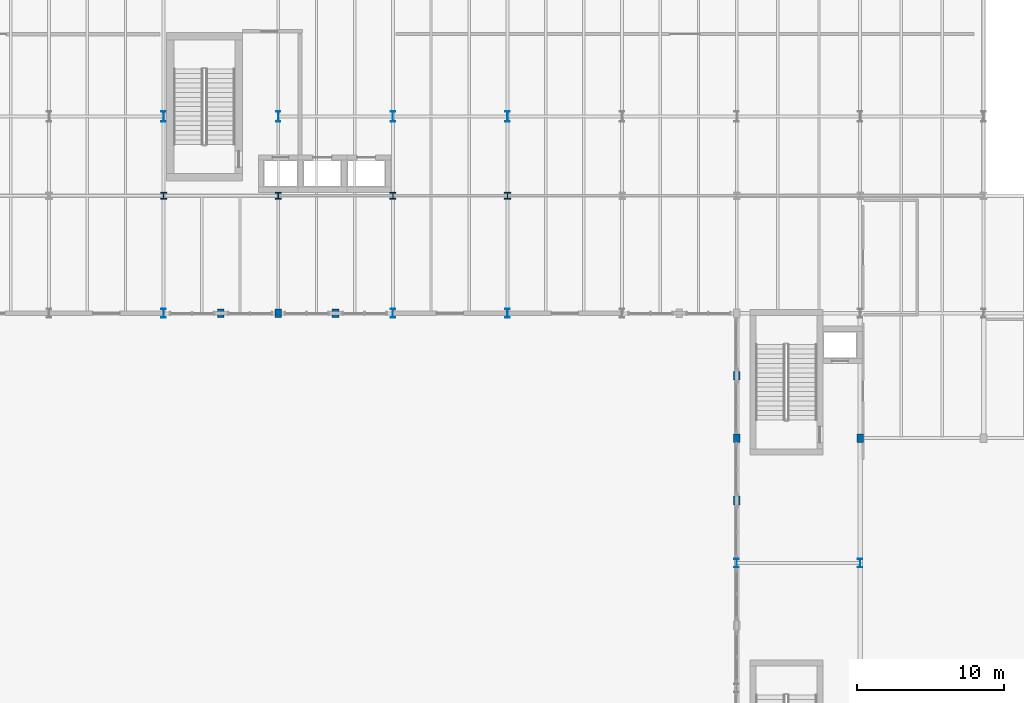
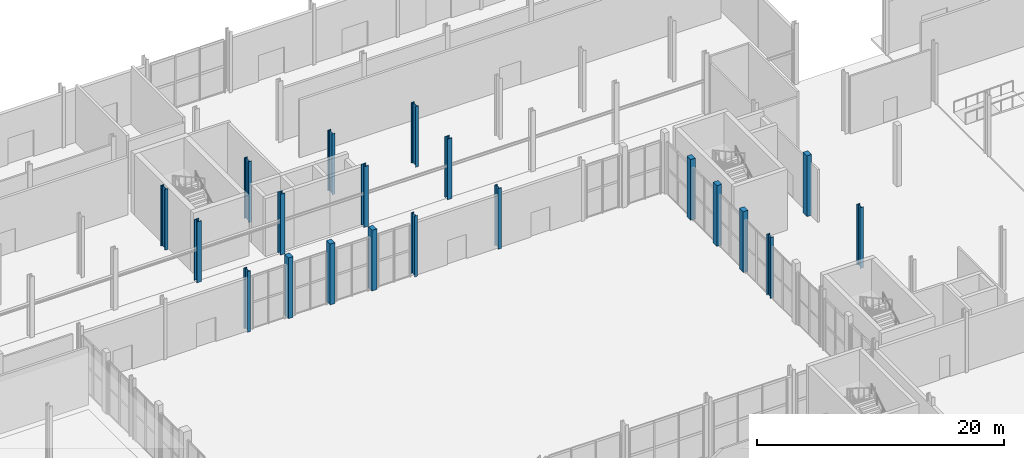
# One storey, part 11 of 84: 20 columns.
"""IFC4 building model written with IfcOpenShell, lengths in metres."""

import ifcopenshell
import ifcopenshell.guid

model = None  # the IFC model being written
_history = None  # IfcOwnerHistory: only IFC2X3 demands one
_inside = {}  # id of a spatial element -> (the spatial element, [elements in it])
_under = {}  # id of a project, library or spatial element -> (it, [spatial elements below it])
_declared = {}  # id of a project -> (the project, [libraries it declares])
_typed = {}  # id of a type object -> (the type object, [elements of that type])
_made_of = {}  # id of a material, layer set ... -> (it, [elements and type objects made of it])


def new_model(schema):
    """Start an empty IFC model of exactly this schema.

    Asked for "IFC4X3", IfcOpenShell would pick the latest addendum, in which some entities
    have other attributes; the version numbers below select the first issue.
    IFC2X3 requires an IfcOwnerHistory on every rooted entity: one is made here for all.
    """
    global model, _history
    if schema == "IFC4X3":
        model = ifcopenshell.file(schema_version=(4, 3, 0, 0))
    else:
        model = ifcopenshell.file(schema=schema)
    _inside.clear()
    _under.clear()
    _declared.clear()
    _typed.clear()
    _made_of.clear()
    _history = None
    if model.schema == "IFC2X3":
        org = make("IfcOrganization", Name="unknown")
        user = make(
            "IfcPersonAndOrganization",
            ThePerson=make("IfcPerson", FamilyName="unknown"),
            TheOrganization=org,
        )
        app = make(
            "IfcApplication",
            ApplicationDeveloper=org,
            Version="unknown",
            ApplicationFullName="unknown",
            ApplicationIdentifier="unknown",
        )
        _history = make(
            "IfcOwnerHistory",
            OwningUser=user,
            OwningApplication=app,
            ChangeAction="ADDED",
            CreationDate=0,
        )
    return model


def make(cls, **values):
    """One entity of the class cls with the attributes given. An attribute that is None is left unset."""
    return model.create_entity(
        cls, **{name: value for name, value in values.items() if value is not None}
    )


def rooted(cls, **values):
    """An entity with a GlobalId (a new one), such as an element, a storey or a relation."""
    return make(cls, GlobalId=ifcopenshell.guid.new(), OwnerHistory=_history, **values)


def si_unit(unit_type, name, prefix=None):
    """IfcSIUnit, for example si_unit("LENGTHUNIT", "METRE", prefix="MILLI")."""
    return make("IfcSIUnit", UnitType=unit_type, Prefix=prefix, Name=name)


def assignment(units):
    """IfcUnitAssignment: the units of a project."""
    return None if units is None else make("IfcUnitAssignment", Units=units)


def point(xyz):
    """IfcCartesianPoint."""
    return None if xyz is None else make("IfcCartesianPoint", Coordinates=xyz)


def direction(xyz):
    """IfcDirection."""
    return None if xyz is None else make("IfcDirection", DirectionRatios=xyz)


def frame(location, z_axis=None, x_axis=None):
    """IfcAxis2Placement3D, a coordinate frame: its origin and axes. An axis left out is left unset."""
    return make(
        "IfcAxis2Placement3D",
        Location=point(location),
        Axis=direction(z_axis),
        RefDirection=direction(x_axis),
    )


def frame_2d(location, x_axis=None):
    """IfcAxis2Placement2D, a coordinate frame in the plane: its origin and x axis."""
    return make(
        "IfcAxis2Placement2D", Location=point(location), RefDirection=direction(x_axis)
    )


def origin():
    """The frame at (0, 0, 0) with its axes left unset."""
    return frame((0.0, 0.0, 0.0))


def origin_2d():
    """The frame at (0, 0) in the plane with its x axis left unset."""
    return frame_2d((0.0, 0.0))


def place(relative_to, where):
    """IfcLocalPlacement: puts the frame where relative to a parent placement (None: the world)."""
    return make(
        "IfcLocalPlacement", PlacementRelTo=relative_to, RelativePlacement=where
    )


def context(
    kind, dimensions, precision=None, world=None, true_north=None, identifier=None
):
    """IfcGeometricRepresentationContext, for example the 3D "Model" context."""
    return make(
        "IfcGeometricRepresentationContext",
        ContextIdentifier=identifier,
        ContextType=kind,
        CoordinateSpaceDimension=dimensions,
        Precision=precision,
        WorldCoordinateSystem=world,
        TrueNorth=true_north,
    )


def subcontext(parent, identifier, kind, view, scale=None):
    """IfcGeometricRepresentationSubContext, for example "Body" below "Model"."""
    return make(
        "IfcGeometricRepresentationSubContext",
        ContextIdentifier=identifier,
        ContextType=kind,
        ParentContext=parent,
        TargetScale=scale,
        TargetView=view,
    )


def project(units=None, contexts=None):
    """IfcProject with its units and contexts."""
    return rooted(
        "IfcProject",
        Name="project",
        RepresentationContexts=contexts,
        UnitsInContext=assignment(units),
    )


def spatial(cls, under=None, at=None, **own):
    """A site, building, storey or space (cls), placed at a placement, below another one or the project."""
    s = rooted(cls, ObjectPlacement=at, **own)
    if under is not None:
        _under.setdefault(under.id(), (under, []))[1].append(s)
    return s


def profile(cls, at=None, kind="AREA", **sizes):
    """A parametric profile (cls). Its sizes go by their IFC names, for example OverallWidth=200.0."""
    return make(cls, ProfileType=kind, Position=at, **sizes)


def rectangle(**sizes):
    """IfcRectangleProfileDef."""
    return profile("IfcRectangleProfileDef", **sizes)


def i_section(**sizes):
    """IfcIShapeProfileDef."""
    return profile("IfcIShapeProfileDef", **sizes)


def extrude(swept, where, along, depth):
    """IfcExtrudedAreaSolid: the profile swept, set in the frame where, extruded along a direction by depth."""
    return make(
        "IfcExtrudedAreaSolid",
        SweptArea=swept,
        Position=where,
        ExtrudedDirection=direction(along),
        Depth=depth,
    )


def shape(context_of_items, identifier, shape_type, items):
    """IfcShapeRepresentation: the items that make up one representation, for example the "Body"."""
    return make(
        "IfcShapeRepresentation",
        ContextOfItems=context_of_items,
        RepresentationIdentifier=identifier,
        RepresentationType=shape_type,
        Items=items,
    )


def material(Name=None, Category=None):
    """IfcMaterial."""
    return make("IfcMaterial", Name=Name, Category=Category)


def material_profile(
    of_material, cross_section, Name=None, Category=None, Priority=None
):
    """IfcMaterialProfile: a cross section and its material."""
    return make(
        "IfcMaterialProfile",
        Name=Name,
        Material=of_material,
        Profile=cross_section,
        Priority=Priority,
        Category=Category,
    )


def profile_set(profiles, Name=None, composite=None):
    """IfcMaterialProfileSet."""
    return make(
        "IfcMaterialProfileSet",
        Name=Name,
        MaterialProfiles=profiles,
        CompositeProfile=composite,
    )


def made_of(thing, what):
    """Note that an element or type object is made of a material, layer set ...; save() writes the relation."""
    if what is not None:
        _made_of.setdefault(what.id(), (what, []))[1].append(thing)
    return thing


def type_object(cls, material=None, **own):
    """A type object (cls), such as IfcWallType, which elements share."""
    return made_of(rooted(cls, **own), material)


def element(
    cls,
    number,
    at=None,
    inside=None,
    cuts=None,
    type_object=None,
    material=None,
    context=None,
    identifier="Body",
    shape_type=None,
    held_by="IfcProductDefinitionShape",
    body=None,
    shapes=None,
    **own,
):
    """One element of the class cls, such as IfcWall. Its Tag is "e" and its number.

    at: its placement. inside: the storey or other place that contains it. cuts: it is an
    opening in that element (IfcRelVoidsElement). A single representation is given by context,
    identifier, shape_type and body (its items); several are given by shapes. held_by: the class
    of the entity that holds the representations. save() writes the other relations.
    """
    e = rooted(cls, Tag="e%d" % number, ObjectPlacement=at, **own)
    if body is not None:
        shapes = [shape(context, identifier, shape_type, body)]
    if shapes is not None:
        e.Representation = make(held_by, Representations=shapes)
    if inside is not None:
        _inside.setdefault(inside.id(), (inside, []))[1].append(e)
    if cuts is not None:
        rooted(
            "IfcRelVoidsElement", RelatingBuildingElement=cuts, RelatedOpeningElement=e
        )
    if type_object is not None:
        _typed.setdefault(type_object.id(), (type_object, []))[1].append(e)
    return made_of(e, material)


def aggregate(whole, parts):
    """IfcRelAggregates: a whole, such as a stair, and the parts it consists of."""
    return rooted("IfcRelAggregates", RelatingObject=whole, RelatedObjects=parts)


def save(model, path):
    """Write the relations noted so far, then the file.

    IfcRelAggregates (storeys below a building ...), IfcRelContainedInSpatialStructure (elements
    in a storey), IfcRelDefinesByType, IfcRelAssociatesMaterial and IfcRelDeclares: one each for
    every whole, place, type object, material and project.
    """
    for whole, parts in _under.values():
        aggregate(whole, parts)
    for where, things in _inside.values():
        rooted(
            "IfcRelContainedInSpatialStructure",
            RelatedElements=things,
            RelatingStructure=where,
        )
    for kind, things in _typed.values():
        rooted("IfcRelDefinesByType", RelatedObjects=things, RelatingType=kind)
    for what, things in _made_of.values():
        rooted("IfcRelAssociatesMaterial", RelatedObjects=things, RelatingMaterial=what)
    for by, libraries in _declared.values():
        rooted("IfcRelDeclares", RelatingContext=by, RelatedDefinitions=libraries)
    model.write(path)


model = new_model("IFC4")

# Units and contexts
model_context = context("Model", 3, precision=1e-05, world=origin(), true_north=direction((0.0, 1.0)))
body_context = subcontext(model_context, "Body", "Model", "MODEL_VIEW")
ifc_project = project(units=[si_unit("LENGTHUNIT", "METRE"), si_unit("AREAUNIT", "SQUARE_METRE"), si_unit("VOLUMEUNIT", "CUBIC_METRE"), si_unit("PLANEANGLEUNIT", "RADIAN"), si_unit("MASSUNIT", "GRAM", prefix="KILO")], contexts=[model_context])

# Site, building, storey
site_placement = place(None, origin())
site = spatial("IfcSite", under=ifc_project, at=site_placement, CompositionType="ELEMENT")
building_placement = place(site_placement, origin())
building = spatial("IfcBuilding", under=site, at=building_placement, Name="Sefraquen Railside Congress Hotel", CompositionType="ELEMENT")
storey_placement = place(building_placement, origin())
storey = spatial("IfcBuildingStorey", under=building, at=storey_placement, Name="L00", CompositionType="ELEMENT", Elevation=0.0)

# Columns
ifc_material_1 = material(Name="Steel S355J2", Category="steel")
ifc_material_profile_1 = material_profile(ifc_material_1, i_section(OverallWidth=0.416015625, OverallDepth=0.446044921875, WebThickness=0.035888671875, FlangeThickness=0.048095703125, FilletRadius=0.014892578125, at=origin_2d()), Name="HD 400x509")
ifc_profile_set_1 = profile_set([ifc_material_profile_1], Name="Steel S355J2")
column_type_1 = type_object("IfcColumnType", Name="TC-HD-509", PredefinedType="COLUMN", material=ifc_profile_set_1)
for number, where, z_axis, x_axis, name in (
    (1, (64.199951171875, 96.0, 0.0), (0.0, 0.0, 1.0), (1.0, 0.0, 0.0), "Structural column 9-M L00"),
    (2, (72.0, 96.0, 0.0), (0.0, 0.0, 1.0), (1.0, 0.0, 0.0), "Structural column 10-M L00"),
    (3, (79.800048828125, 96.0, 0.0), (0.0, 0.0, 1.0), (1.0, 0.0, 0.0), "Structural column 11-M L00"),
    (4, (87.60009765625, 96.0, 0.0), (0.0, 0.0, 1.0), (1.0, 0.0, 0.0), "Structural column 12-M L00"),
):
    element("IfcColumn", number, at=place(storey_placement, frame(where, z_axis=z_axis, x_axis=x_axis)), inside=storey, type_object=column_type_1, Name=name, PredefinedType="COLUMN", context=body_context, shape_type="SweptSolid", body=[
        extrude(i_section(OverallWidth=0.416015625, OverallDepth=0.446044921875, WebThickness=0.035888671875, FlangeThickness=0.048095703125, FilletRadius=0.014892578125, at=origin_2d()), origin(), (0.0, 0.0, 1.0), 6.0),
    ])
ifc_material_2 = material(Name="Steel S355JR", Category="steel")
ifc_material_profile_2 = material_profile(ifc_material_2, i_section(OverallWidth=0.300048828125, OverallDepth=0.60009765625, WebThickness=0.015380859375, FlangeThickness=0.030029296875, FilletRadius=0.027099609375, at=origin_2d()), Name="HEB 600")
ifc_profile_set_2 = profile_set([ifc_material_profile_2], Name="Steel S355JR")
column_type_2 = type_object("IfcColumnType", Name="TC-HEB-600", PredefinedType="COLUMN", material=ifc_profile_set_2)
for number, where, z_axis, x_axis, name in (
    (5, (64.199951171875, 88.0, 0.0), (0.0, 0.0, 1.0), (1.0, 0.0, 0.0), "Structural column 9-L L00"),
    (6, (79.800048828125, 88.0, 0.0), (0.0, 0.0, 1.0), (1.0, 0.0, 0.0), "Structural column 11-L L00"),
    (7, (87.60009765625, 88.0, 0.0), (0.0, 0.0, 1.0), (1.0, 0.0, 0.0), "Structural column 12-L L00"),
    (8, (103.199951171875, 71.0, 0.0), (0.0, 0.0, 1.0), (1.0, 0.0, 0.0), "Structural column 14-J L00"),
    (9, (111.60009765625, 71.0, 0.0), (0.0, 0.0, 1.0), (1.0, 0.0, 0.0), "Structural column 15-J L00"),
):
    element("IfcColumn", number, at=place(storey_placement, frame(where, z_axis=z_axis, x_axis=x_axis)), inside=storey, type_object=column_type_2, Name=name, PredefinedType="COLUMN", context=body_context, shape_type="SweptSolid", body=[
        extrude(i_section(OverallWidth=0.300048828125, OverallDepth=0.60009765625, WebThickness=0.015380859375, FlangeThickness=0.030029296875, FilletRadius=0.027099609375, at=origin_2d()), origin(), (0.0, 0.0, 1.0), 6.0),
    ])
ifc_material_profile_3 = material_profile(ifc_material_2, i_section(OverallWidth=0.300048828125, OverallDepth=0.699951171875, WebThickness=0.01708984375, FlangeThickness=0.031982421875, FilletRadius=0.027099609375, at=origin_2d()), Name="HEB 700")
ifc_profile_set_3 = profile_set([ifc_material_profile_3], Name="Steel S355JR")
column_type_3 = type_object("IfcColumnType", Name="TC-HEB-700", PredefinedType="COLUMN", material=ifc_profile_set_3)
for number, where, z_axis, x_axis, name in (
    (10, (64.199951171875, 101.39990234375, 0.0), (0.0, 0.0, 1.0), (1.0, 0.0, 0.0), "Structural column 9-N L00"),
    (11, (72.0, 101.39990234375, 0.0), (0.0, 0.0, 1.0), (1.0, 0.0, 0.0), "Structural column 10-N L00"),
    (12, (79.800048828125, 101.39990234375, 0.0), (0.0, 0.0, 1.0), (1.0, 0.0, 0.0), "Structural column 11-N L00"),
    (13, (87.60009765625, 101.39990234375, 0.0), (0.0, 0.0, 1.0), (1.0, 0.0, 0.0), "Structural column 12-N L00"),
):
    element("IfcColumn", number, at=place(storey_placement, frame(where, z_axis=z_axis, x_axis=x_axis)), inside=storey, type_object=column_type_3, Name=name, PredefinedType="COLUMN", context=body_context, shape_type="SweptSolid", body=[
        extrude(i_section(OverallWidth=0.300048828125, OverallDepth=0.699951171875, WebThickness=0.01708984375, FlangeThickness=0.031982421875, FilletRadius=0.027099609375, at=origin_2d()), origin(), (0.0, 0.0, 1.0), 6.0),
    ])
ifc_material_3 = material(Name="Concrete C50/60", Category="concrete")
ifc_material_profile_4 = material_profile(ifc_material_3, rectangle(XDim=0.449951171875, YDim=0.60009765625, at=origin_2d()), Name="RC 600x450")
ifc_profile_set_4 = profile_set([ifc_material_profile_4], Name="Concrete C50/60")
column_type_4 = type_object("IfcColumnType", Name="TC-PIL-600", PredefinedType="PILASTER", material=ifc_profile_set_4)
for number, where, z_axis, x_axis, name in (
    (14, (72.0, 88.0, 0.0), (0.0, 0.0, 1.0), (1.0, 0.0, 0.0), "Structural column 10-L L00"),
    (15, (103.199951171875, 79.5, 0.0), (0.0, 0.0, 1.0), (1.0, 0.0, 0.0), "Structural column 14-K L00"),
    (16, (111.60009765625, 79.5, 0.0), (0.0, 0.0, 1.0), (1.0, 0.0, 0.0), "Structural column 15-K L00"),
    (17, (103.199951171875, 75.25, 0.0), (0.0, 0.0, 1.0), (1.0, 0.0, 0.0), "Courtyard limestone pilaster CPIL-E3 L00"),
    (18, (103.199951171875, 83.75, 0.0), (0.0, 0.0, 1.0), (1.0, 0.0, 0.0), "Courtyard limestone pilaster CPIL-E4 L00"),
    (19, (68.10009765625, 88.0, 0.0), (0.0, 0.0, 1.0), (1.0, 0.0, 0.0), "Courtyard limestone pilaster CPIL-N1 L00"),
    (20, (75.89990234375, 88.0, 0.0), (0.0, 0.0, 1.0), (1.0, 0.0, 0.0), "Courtyard limestone pilaster CPIL-N2 L00"),
):
    element("IfcColumn", number, at=place(storey_placement, frame(where, z_axis=z_axis, x_axis=x_axis)), inside=storey, type_object=column_type_4, Name=name, PredefinedType="PILASTER", context=body_context, shape_type="SweptSolid", body=[
        extrude(rectangle(XDim=0.449951171875, YDim=0.60009765625, at=origin_2d()), origin(), (0.0, 0.0, 1.0), 6.0),
    ])

save(model, "model.ifc")
